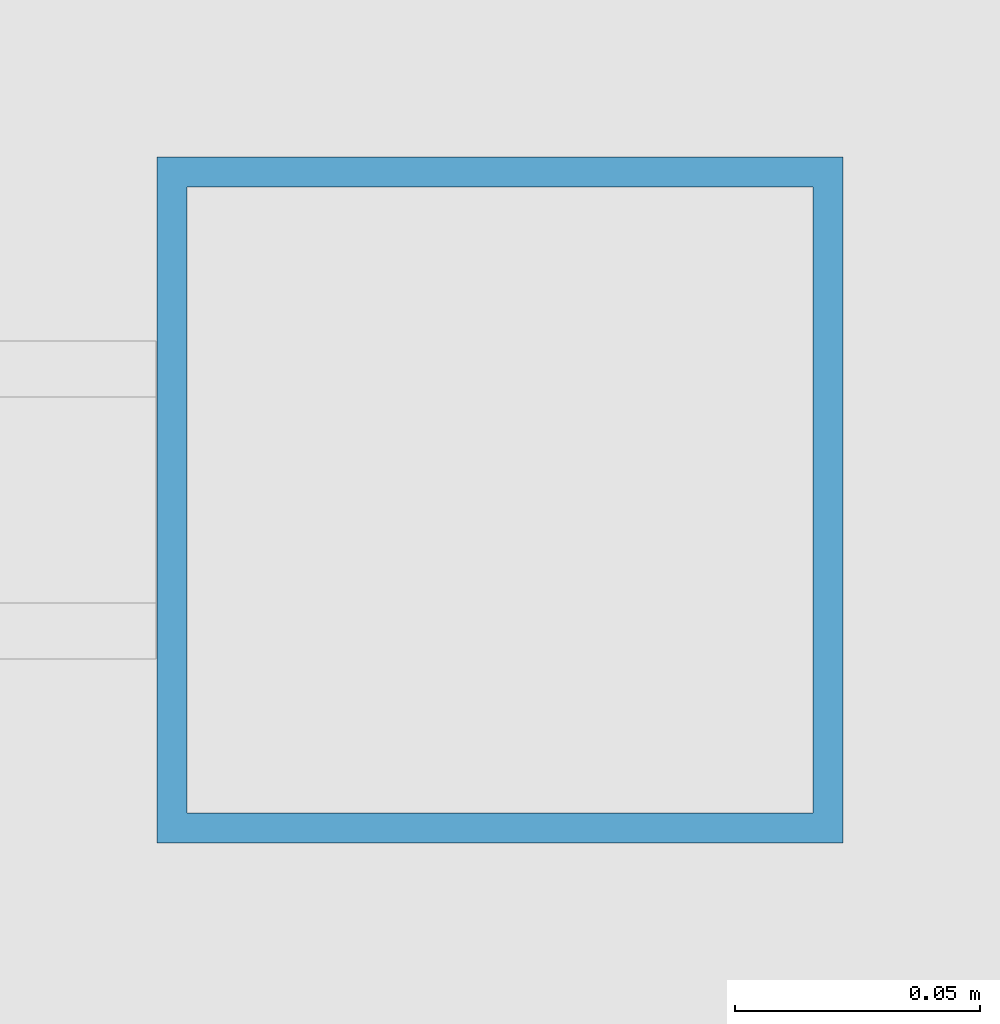
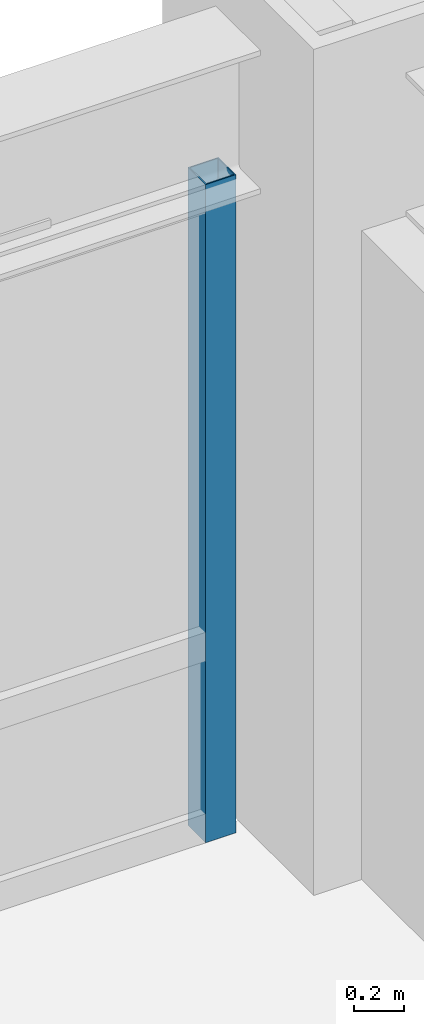
# One storey, part 21 of 32: 1 member, 1 element without a shape of its own.
"""IFC4 building model written with IfcOpenShell, lengths in metres."""

from ifc_helpers import new_model, si_unit, direction, frame, origin, origin_2d, place, context, subcontext, project, spatial, hollow_rectangle, extrude, source, transform, mapped, material, material_profile, profile_set, type_object, element, aggregate, save


model = new_model("IFC4")

# Units and contexts
model_context = context("Model", 3, precision=1e-05, world=origin(), true_north=direction((0.0, 1.0)))
body_context = subcontext(model_context, "Body", "Model", "MODEL_VIEW")
ifc_project = project(units=[si_unit("LENGTHUNIT", "METRE"), si_unit("AREAUNIT", "SQUARE_METRE"), si_unit("VOLUMEUNIT", "CUBIC_METRE"), si_unit("PLANEANGLEUNIT", "RADIAN"), si_unit("MASSUNIT", "GRAM", prefix="KILO")], contexts=[model_context])

# Site, building, storey
site_placement = place(None, origin())
site = spatial("IfcSite", under=ifc_project, at=site_placement, CompositionType="ELEMENT")
building_placement = place(site_placement, origin())
building = spatial("IfcBuilding", under=site, at=building_placement, Name="Khorayat Bourse Tower", CompositionType="ELEMENT")
storey_placement = place(building_placement, frame((0.0, 0.0, 136.5)))
storey = spatial("IfcBuildingStorey", under=building, at=storey_placement, Name="L31", CompositionType="ELEMENT", Elevation=136.5)

# Curtain wall, member
ifc_material = material(Name="Aluminium EN AW-6063 T6", Category="aluminium")
curtain_wall_type = type_object("IfcCurtainWallType", Name="CW-SYS-02", PredefinedType="NOTDEFINED", material=ifc_material)
curtain_wall_placement = place(storey_placement, origin())
curtain_wall = element("IfcCurtainWall", 1, at=curtain_wall_placement, inside=storey, type_object=curtain_wall_type, Name="L31 Curtain Wall CW-L31-N1", PredefinedType="NOTDEFINED")
ifc_material_profile = material_profile(ifc_material, hollow_rectangle(XDim=0.139892578125, YDim=0.139892578125, WallThickness=0.006103515625, at=origin_2d()), Name="ALU 140x140x6")
ifc_profile_set = profile_set([ifc_material_profile], Name="Aluminium EN AW-6063 T6")
member_type = type_object("IfcMemberType", Name="CWM-VERT-140", PredefinedType="MULLION", material=ifc_profile_set)
shared_shape = source(origin(), body_context, "Body", "SweptSolid", [
    extrude(hollow_rectangle(XDim=0.139892578125, YDim=0.139892578125, WallThickness=0.006103515625, at=origin_2d()), origin(), (0.0, 0.0, 1.0), 3.18994140625),
])
member_placement = place(storey_placement, frame((27.280029296875, 32.0, 0.0), z_axis=(0.0, 0.0, 1.0), x_axis=(0.0, 1.0, 0.0)))
member = element("IfcMember", 2, at=member_placement, type_object=member_type, Name="CW-L31-N1 Vertical Mullion 3", PredefinedType="MULLION", context=body_context, shape_type="MappedRepresentation", body=[
    mapped(shared_shape, transform((0.0, 0.0, 0.0), scale=1.0)),
])
aggregate(curtain_wall, [member])

save(model, "model.ifc")
